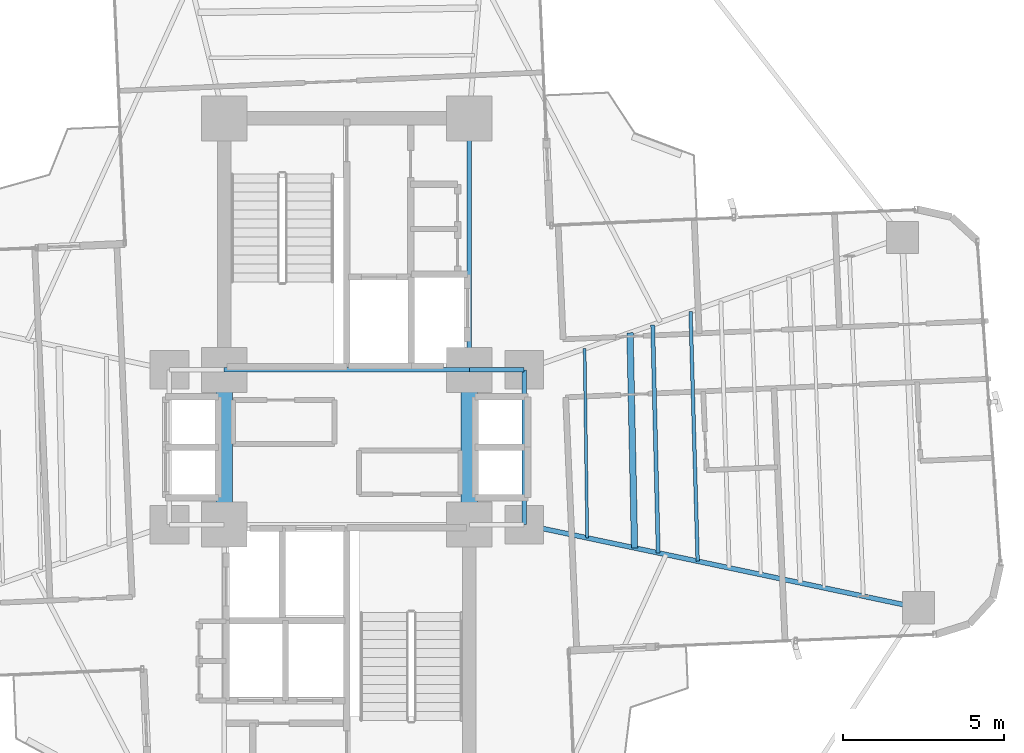
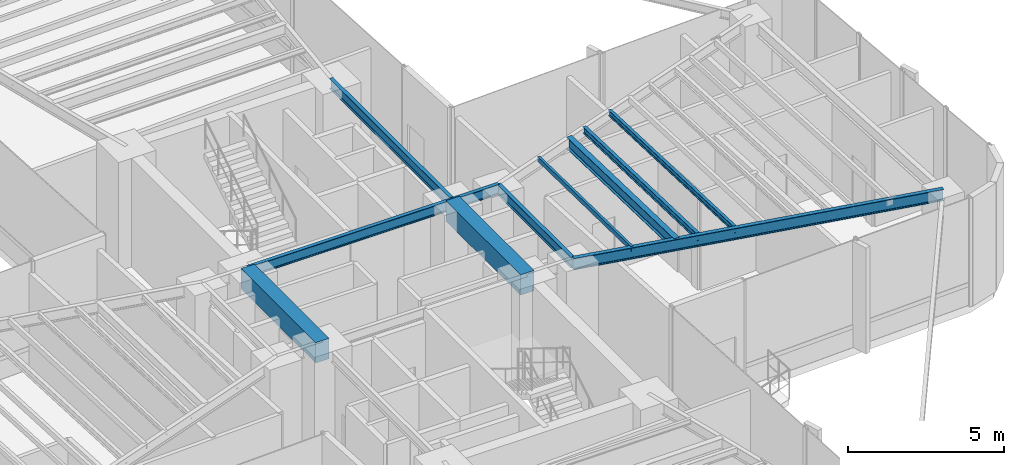
# One storey, part 6 of 23: 11 beams.
"""IFC4 building model written with IfcOpenShell, lengths in metres."""

from ifc_helpers import new_model, si_unit, direction, frame, origin, origin_2d, place, context, subcontext, project, spatial, rectangle, hollow_rectangle, i_section, extrude, source, transform, mapped, material, material_profile, profile_set, type_object, element, save


model = new_model("IFC4")

# Units and contexts
model_context = context("Model", 3, precision=1e-05, world=origin(), true_north=direction((0.0, 1.0)))
body_context = subcontext(model_context, "Body", "Model", "MODEL_VIEW")
ifc_project = project(units=[si_unit("LENGTHUNIT", "METRE"), si_unit("AREAUNIT", "SQUARE_METRE"), si_unit("VOLUMEUNIT", "CUBIC_METRE"), si_unit("PLANEANGLEUNIT", "RADIAN"), si_unit("MASSUNIT", "GRAM", prefix="KILO")], contexts=[model_context])

# Site, building, storey
site_placement = place(None, origin())
site = spatial("IfcSite", under=ifc_project, at=site_placement, CompositionType="ELEMENT")
building_placement = place(site_placement, origin())
building = spatial("IfcBuilding", under=site, at=building_placement, Name="Sahyath Konkavel Grand Hotel", CompositionType="ELEMENT")
storey_placement = place(building_placement, frame((0.0, 0.0, 106.949951171875)))
storey = spatial("IfcBuildingStorey", under=building, at=storey_placement, Name="L29", CompositionType="ELEMENT", Elevation=106.949951171875)

# Beams
ifc_material_1 = material(Name="Steel E350", Category="steel")
ifc_material_profile_1 = material_profile(ifc_material_1, i_section(OverallWidth=0.139892578125, OverallDepth=0.39990234375, WebThickness=0.0087890625, FlangeThickness=0.01611328125, FilletRadius=0.013916015625, at=origin_2d()), Name="ISMB 400")
ifc_profile_set_1 = profile_set([ifc_material_profile_1], Name="Steel E350")
beam_type_1 = type_object("IfcBeamType", Name="BM-ISMB400", PredefinedType="BEAM", material=ifc_profile_set_1)
shared_shape_1 = source(origin(), body_context, "Body", "SweptSolid", [
    extrude(i_section(OverallWidth=0.139892578125, OverallDepth=0.39990234375, WebThickness=0.0087890625, FlangeThickness=0.01611328125, FilletRadius=0.013916015625, at=origin_2d()), origin(), (0.0, 0.0, 1.0), 7.60009765625),
])
beam_1_placement = place(storey_placement, frame((-3.800048828125, 2.39990234375, 4.06005859375), z_axis=(1.0, 0.0, 0.0), x_axis=(0.0, 1.0, 0.0)))
element("IfcBeam", 1, at=beam_1_placement, inside=storey, type_object=beam_type_1, Name="str:bm:L29:NC-S", PredefinedType="BEAM", context=body_context, shape_type="MappedRepresentation", body=[
    mapped(shared_shape_1, transform((0.0, 0.0, 0.0), scale=1.0)),
])
shared_shape_2 = source(origin(), body_context, "Body", "SweptSolid", [
    extrude(i_section(OverallWidth=0.139892578125, OverallDepth=0.39990234375, WebThickness=0.0087890625, FlangeThickness=0.01611328125, FilletRadius=0.013916015625, at=origin_2d()), origin(), (0.0, 0.0, 1.0), 7.800048828125),
])
beam_2_placement = place(storey_placement, frame((3.800048828125, 2.39990234375, 4.06005859375), z_axis=(0.0, 1.0, 0.0), x_axis=(-1.0, 0.0, 0.0)))
element("IfcBeam", 2, at=beam_2_placement, inside=storey, type_object=beam_type_1, Name="str:bm:L29:NC-E", PredefinedType="BEAM", context=body_context, shape_type="MappedRepresentation", body=[
    mapped(shared_shape_2, transform((0.0, 0.0, 0.0), scale=1.0)),
])
shared_shape_3 = source(origin(), body_context, "Body", "SweptSolid", [
    extrude(i_section(OverallWidth=0.139892578125, OverallDepth=0.39990234375, WebThickness=0.0087890625, FlangeThickness=0.01611328125, FilletRadius=0.013916015625, at=origin_2d()), origin(), (0.0, 0.0, 1.0), 1.699951171875),
])
beam_3_placement = place(storey_placement, frame((3.800048828125, 2.39990234375, 4.06005859375), z_axis=(1.0, 0.0, 0.0), x_axis=(0.0, 1.0, 0.0)))
element("IfcBeam", 3, at=beam_3_placement, inside=storey, type_object=beam_type_1, Name="str:bm:L29:HB-NE", PredefinedType="BEAM", context=body_context, shape_type="MappedRepresentation", body=[
    mapped(shared_shape_3, transform((0.0, 0.0, 0.0), scale=1.0)),
])
shared_shape_4 = source(origin(), body_context, "Body", "SweptSolid", [
    extrude(i_section(OverallWidth=0.139892578125, OverallDepth=0.39990234375, WebThickness=0.0087890625, FlangeThickness=0.01611328125, FilletRadius=0.013916015625, at=origin_2d()), origin(), (0.0, 0.0, 1.0), 4.7998046875),
])
beam_4_placement = place(storey_placement, frame((5.5, -2.39990234375, 4.06005859375), z_axis=(0.0, 1.0, 0.0), x_axis=(-1.0, 0.0, 0.0)))
element("IfcBeam", 4, at=beam_4_placement, inside=storey, type_object=beam_type_1, Name="str:bm:L29:HB-E", PredefinedType="BEAM", context=body_context, shape_type="MappedRepresentation", body=[
    mapped(shared_shape_4, transform((0.0, 0.0, 0.0), scale=1.0)),
])
ifc_material_2 = material(Name="Concrete C50/60", Category="concrete")
ifc_material_profile_2 = material_profile(ifc_material_2, rectangle(XDim=0.5, YDim=0.800048828125, at=origin_2d()), Name="RC 500x800")
ifc_profile_set_2 = profile_set([ifc_material_profile_2], Name="Concrete C50/60")
beam_type_2 = type_object("IfcBeamType", Name="BM-CB500x800", PredefinedType="LINTEL", material=ifc_profile_set_2)
shared_shape_5 = source(origin(), body_context, "Body", "SweptSolid", [
    extrude(rectangle(XDim=0.5, YDim=0.800048828125, at=origin_2d()), origin(), (0.0, 0.0, 1.0), 4.7998046875),
])
for number, where, z_axis, x_axis, name in (
    (5, (-3.800048828125, -2.39990234375, 3.860107421875), (0.0, 1.0, 0.0), (-1.0, 0.0, 0.0), "L29 Split-Core Coupling Beam West"),
    (6, (3.800048828125, -2.39990234375, 3.860107421875), (0.0, 1.0, 0.0), (-1.0, 0.0, 0.0), "L29 Split-Core Coupling Beam East"),
):
    element("IfcBeam", number, at=place(storey_placement, frame(where, z_axis=z_axis, x_axis=x_axis)), inside=storey, type_object=beam_type_2, Name=name, PredefinedType="LINTEL", context=body_context, shape_type="MappedRepresentation", body=[
        mapped(shared_shape_5, transform((0.0, 0.0, 0.0), scale=1.0)),
    ])
ifc_material_profile_3 = material_profile(ifc_material_1, i_section(OverallWidth=0.14990234375, OverallDepth=0.449951171875, WebThickness=0.009521484375, FlangeThickness=0.017333984375, FilletRadius=0.014892578125, at=origin_2d()), Name="ISMB 450")
ifc_profile_set_3 = profile_set([ifc_material_profile_3], Name="Steel E350")
beam_type_3 = type_object("IfcBeamType", Name="BM-ISMB450", PredefinedType="BEAM", material=ifc_profile_set_3)
shared_shape_6 = source(origin(), body_context, "Body", "SweptSolid", [
    extrude(i_section(OverallWidth=0.14990234375, OverallDepth=0.449951171875, WebThickness=0.009521484375, FlangeThickness=0.017333984375, FilletRadius=0.014892578125, at=origin_2d()), origin(), (0.0, 0.0, 1.0), 12.50341796875),
])
beam_5_placement = place(storey_placement, frame((5.5, -2.39990234375, 4.03515625), z_axis=(0.978457911392, -0.206446398937, 0.0), x_axis=(0.206446398937, 0.978457911392, 0.0)))
element("IfcBeam", 7, at=beam_5_placement, inside=storey, type_object=beam_type_3, Name="L29 Cruciform Radial Girder EA", PredefinedType="BEAM", context=body_context, shape_type="MappedRepresentation", body=[
    mapped(shared_shape_6, transform((0.0, 0.0, 0.0), scale=1.0)),
])
ifc_material_profile_4 = material_profile(ifc_material_1, i_section(OverallWidth=0.199951171875, OverallDepth=0.449951171875, WebThickness=0.00927734375, FlangeThickness=0.015380859375, FilletRadius=0.01611328125, at=origin_2d()), Name="ISWB 450")
ifc_profile_set_4 = profile_set([ifc_material_profile_4], Name="Steel E350")
beam_type_4 = type_object("IfcBeamType", Name="BM-ISWB450", PredefinedType="BEAM", material=ifc_profile_set_4)
shared_shape_7 = source(origin(), body_context, "Body", "SweptSolid", [
    extrude(i_section(OverallWidth=0.199951171875, OverallDepth=0.449951171875, WebThickness=0.00927734375, FlangeThickness=0.015380859375, FilletRadius=0.01611328125, at=origin_2d()), origin(), (0.0, 0.0, 1.0), 6.674560546875),
])
beam_6_placement = place(storey_placement, frame((8.925537109375, -3.122802734375, 4.03515625), z_axis=(-0.021032188543, 0.999778799058, 0.0), x_axis=(-0.999778799058, -0.021032188543, 0.0)))
element("IfcBeam", 8, at=beam_6_placement, inside=storey, type_object=beam_type_4, Name="L29 Secondary Floor Beam E-1", PredefinedType="BEAM", context=body_context, shape_type="MappedRepresentation", body=[
    mapped(shared_shape_7, transform((0.0, 0.0, 0.0), scale=1.0)),
])
ifc_material_profile_5 = material_profile(ifc_material_1, hollow_rectangle(XDim=0.090087890625, YDim=0.179931640625, WallThickness=0.008056640625, at=origin_2d()), Name="RHS 180x90x8")
ifc_profile_set_5 = profile_set([ifc_material_profile_5], Name="Steel E350")
beam_type_5 = type_object("IfcBeamType", Name="BM-RHS180", PredefinedType="BEAM", material=ifc_profile_set_5)
shared_shape_8 = source(origin(), body_context, "Body", "SweptSolid", [
    extrude(hollow_rectangle(XDim=0.090087890625, YDim=0.179931640625, WallThickness=0.008056640625, at=origin_2d()), origin(), (0.0, 0.0, 1.0), 5.870849609375),
])
beam_7_placement = place(storey_placement, frame((7.45751953125, -2.81298828125, 4.170166015625), z_axis=(-0.013681397685, 0.999906405299, 0.0), x_axis=(-0.999906405299, -0.013681397685, 0.0)))
element("IfcBeam", 9, at=beam_7_placement, inside=storey, type_object=beam_type_5, Name="L29 Composite Deck Sub-Beam E-1", PredefinedType="BEAM", context=body_context, shape_type="MappedRepresentation", body=[
    mapped(shared_shape_8, transform((0.0, 0.0, 0.0), scale=1.0)),
])
ifc_material_profile_6 = material_profile(ifc_material_1, i_section(OverallWidth=0.125, OverallDepth=0.25, WebThickness=0.0068359375, FlangeThickness=0.012451171875, FilletRadius=0.012939453125, at=origin_2d()), Name="ISMB 250")
ifc_profile_set_6 = profile_set([ifc_material_profile_6], Name="Steel E350")
beam_type_6 = type_object("IfcBeamType", Name="BM-ISMB250", PredefinedType="BEAM", material=ifc_profile_set_6)
shared_shape_9 = source(origin(), body_context, "Body", "SweptSolid", [
    extrude(i_section(OverallWidth=0.125, OverallDepth=0.25, WebThickness=0.0068359375, FlangeThickness=0.012451171875, FilletRadius=0.012939453125, at=origin_2d()), origin(), (0.0, 0.0, 1.0), 7.076171875),
])
beam_8_placement = place(storey_placement, frame((9.65966796875, -3.277587890625, 4.135009765625), z_axis=(-0.024116396364, 0.999709157419, 0.0), x_axis=(-0.999709157419, -0.024116396364, 0.0)))
element("IfcBeam", 10, at=beam_8_placement, inside=storey, type_object=beam_type_6, Name="L29 Composite Deck Sub-Beam E-2", PredefinedType="BEAM", context=body_context, shape_type="MappedRepresentation", body=[
    mapped(shared_shape_9, transform((0.0, 0.0, 0.0), scale=1.0)),
])
ifc_material_profile_7 = material_profile(ifc_material_1, i_section(OverallWidth=0.110107421875, OverallDepth=0.22509765625, WebThickness=0.006591796875, FlangeThickness=0.01171875, FilletRadius=0.011962890625, at=origin_2d()), Name="ISMB 225")
ifc_profile_set_7 = profile_set([ifc_material_profile_7], Name="Steel E350")
beam_type_7 = type_object("IfcBeamType", Name="BM-ISMB225", PredefinedType="BEAM", material=ifc_profile_set_7)
shared_shape_10 = source(origin(), body_context, "Body", "SweptSolid", [
    extrude(i_section(OverallWidth=0.110107421875, OverallDepth=0.22509765625, WebThickness=0.006591796875, FlangeThickness=0.01171875, FilletRadius=0.011962890625, at=origin_2d()), origin(), (0.0, 0.0, 1.0), 7.746337890625),
])
beam_9_placement = place(storey_placement, frame((10.883056640625, -3.53564453125, 4.1474609375), z_axis=(-0.02849139268, 0.999594037869, 0.0), x_axis=(-0.999594037869, -0.02849139268, 0.0)))
element("IfcBeam", 11, at=beam_9_placement, inside=storey, type_object=beam_type_7, Name="L29 Composite Deck Sub-Beam E-3", PredefinedType="BEAM", context=body_context, shape_type="MappedRepresentation", body=[
    mapped(shared_shape_10, transform((0.0, 0.0, 0.0), scale=1.0)),
])

save(model, "model.ifc")
